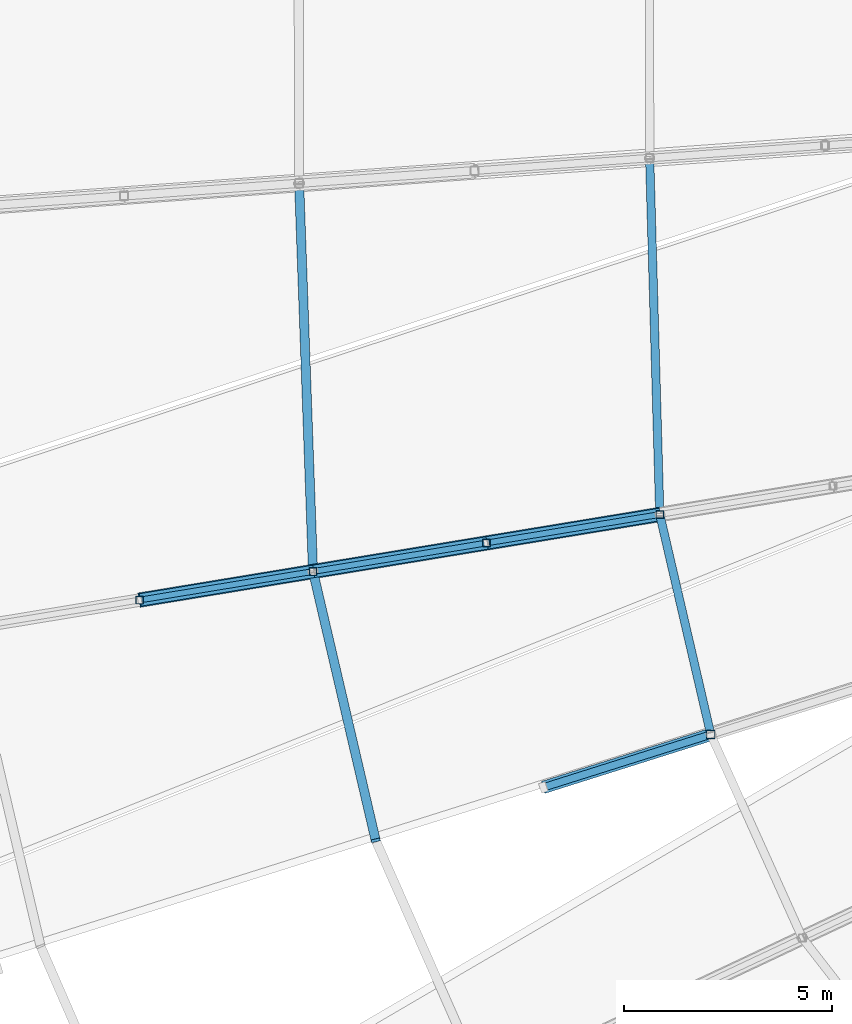
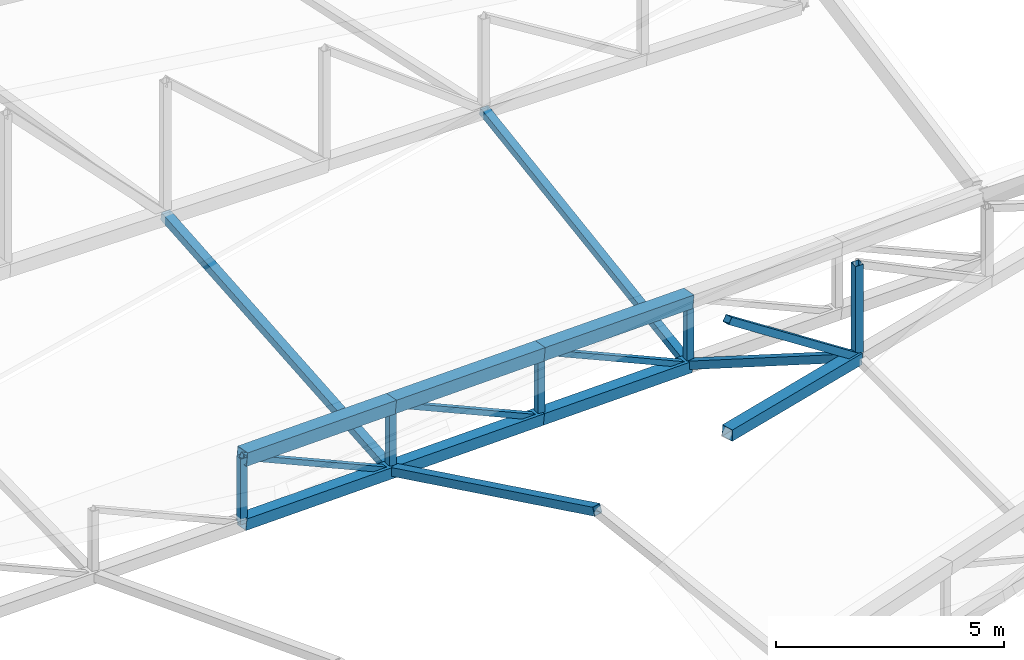
# One storey, part 22 of 344: 20 members.
"""IFC4 building model written with IfcOpenShell, lengths in metres."""

from ifc_helpers import new_model, si_unit, direction, frame, origin, origin_2d, place, context, subcontext, project, spatial, hollow_rectangle, extrude, material, material_profile, profile_set, type_object, element, save


model = new_model("IFC4")

# Units and contexts
model_context = context("Model", 3, precision=1e-05, world=origin(), true_north=direction((0.0, 1.0)))
body_context = subcontext(model_context, "Body", "Model", "MODEL_VIEW")
ifc_project = project(units=[si_unit("LENGTHUNIT", "METRE"), si_unit("AREAUNIT", "SQUARE_METRE"), si_unit("VOLUMEUNIT", "CUBIC_METRE"), si_unit("PLANEANGLEUNIT", "RADIAN"), si_unit("MASSUNIT", "GRAM", prefix="KILO")], contexts=[model_context])

# Site, building, storey
site_placement = place(None, origin())
site = spatial("IfcSite", under=ifc_project, at=site_placement, CompositionType="ELEMENT")
building_placement = place(site_placement, origin())
building = spatial("IfcBuilding", under=site, at=building_placement, Name="Meseta Stadium", CompositionType="ELEMENT")
storey_placement = place(building_placement, frame((0.0, 0.0, 24.0)))
storey = spatial("IfcBuildingStorey", under=building, at=storey_placement, Name="L04", CompositionType="ELEMENT", Elevation=24.0)

# Members
ifc_material_1 = material(Name="Steel S355", Category="steel")
ifc_material_profile_1 = material_profile(ifc_material_1, hollow_rectangle(XDim=0.139892578125, YDim=0.139892578125, WallThickness=0.0048828125, at=origin_2d()), Name="SHS 140x140x5")
ifc_profile_set_1 = profile_set([ifc_material_profile_1], Name="Steel S355")
member_type_1 = type_object("IfcMemberType", Name="SHS 140x140x5 diagonal", PredefinedType="BRACE", material=ifc_profile_set_1)
for number, where, z_axis, x_axis, name in (
    (1, (-55.161865234375, -49.004150390625, 3.560302734375), (-0.873385983869, -0.143670561224, 0.465355448039), (0.162316894015, -0.986738681677, 0.0), "ROOF TRUSS RT-37 diagonal"),
    (2, (-59.327880859375, -49.689453125, 4.023193359375), (-0.873418924065, -0.143667560495, 0.465294546655), (0.162307632911, -0.986740205069, 0.0), "ROOF TRUSS RT-37 diagonal"),
):
    element("IfcMember", number, at=place(storey_placement, frame(where, z_axis=z_axis, x_axis=x_axis)), inside=storey, type_object=member_type_1, Name=name, PredefinedType="BRACE", context=body_context, shape_type="SweptSolid", body=[
        extrude(hollow_rectangle(XDim=0.139892578125, YDim=0.139892578125, WallThickness=0.0048828125, at=origin_2d()), origin(), (0.0, 0.0, 1.0), 4.77001953125),
    ])
member_1_placement = place(storey_placement, frame((-63.494140625, -50.374755859375, 4.48583984375), z_axis=(-0.873391700476, -0.143714262815, 0.465331224186), x_axis=(0.162363931313, -0.986730942967, 0.0)))
element("IfcMember", 3, at=member_1_placement, inside=storey, type_object=member_type_1, Name="ROOF TRUSS RT-37 diagonal", PredefinedType="BRACE", context=body_context, shape_type="SweptSolid", body=[
    extrude(hollow_rectangle(XDim=0.139892578125, YDim=0.139892578125, WallThickness=0.0048828125, at=origin_2d()), origin(), (0.0, 0.0, 1.0), 4.770263671875),
])
ifc_material_2 = material(Name="Steel S355", Category="steel")
ifc_material_profile_2 = material_profile(ifc_material_2, hollow_rectangle(XDim=0.179931640625, YDim=0.179931640625, WallThickness=0.00634765625, at=origin_2d()), Name="SHS 180x180x6.3")
ifc_profile_set_2 = profile_set([ifc_material_profile_2], Name="Steel S355")
member_type_2 = type_object("IfcMemberType", Name="SHS 180x180x6.3 diagonal", PredefinedType="BRACE", material=ifc_profile_set_2)
member_2_placement = place(storey_placement, frame((-53.93603515625, -54.2919921875, 6.5390625), z_axis=(-0.76283588036, -0.240863891155, 0.600055002124), x_axis=(0.301095390886, -0.953594025562, 0.0)))
element("IfcMember", 4, at=member_2_placement, inside=storey, type_object=member_type_2, Name="ROOF TRUSS RT-38 diagonal", PredefinedType="BRACE", context=body_context, shape_type="SweptSolid", body=[
    extrude(hollow_rectangle(XDim=0.179931640625, YDim=0.179931640625, WallThickness=0.00634765625, at=origin_2d()), origin(), (0.0, 0.0, 1.0), 5.27783203125),
])
ifc_material_3 = material(Name="Steel S355", Category="steel")
ifc_material_profile_3 = material_profile(ifc_material_3, hollow_rectangle(XDim=0.179931640625, YDim=0.179931640625, WallThickness=0.00634765625, at=origin_2d()), Name="SHS 180x180x6.3")
ifc_profile_set_3 = profile_set([ifc_material_profile_3], Name="Steel S355")
member_type_3 = type_object("IfcMemberType", Name="SHS 180x180x6.3 post", PredefinedType="POST", material=ifc_profile_set_3)
for number, where, z_axis, x_axis, name in (
    (5, (-55.161865234375, -49.004150390625, 3.560302734375), (0.0, 0.0, 1.0), (1.0, 0.0, 0.0), "ROOF TRUSS RT-37 post"),
    (6, (-59.327880859375, -49.689453125, 4.023193359375), (0.0, 0.0, 1.0), (1.0, 0.0, 0.0), "ROOF TRUSS RT-37 post"),
    (7, (-63.494140625, -50.374755859375, 4.48583984375), (0.0, 0.0, 1.0), (1.0, 0.0, 0.0), "ROOF TRUSS RT-37 post"),
    (8, (-67.660400390625, -51.060302734375, 4.94873046875), (0.0, 0.0, 1.0), (1.0, 0.0, 0.0), "ROOF TRUSS RT-37 post"),
):
    element("IfcMember", number, at=place(storey_placement, frame(where, z_axis=z_axis, x_axis=x_axis)), inside=storey, type_object=member_type_3, Name=name, PredefinedType="POST", context=body_context, shape_type="SweptSolid", body=[
        extrude(hollow_rectangle(XDim=0.179931640625, YDim=0.179931640625, WallThickness=0.00634765625, at=origin_2d()), origin(), (0.0, 0.0, 1.0), 1.7568359375),
    ])
ifc_material_4 = material(Name="Steel S355", Category="steel")
ifc_material_profile_4 = material_profile(ifc_material_4, hollow_rectangle(XDim=0.199951171875, YDim=0.199951171875, WallThickness=0.008056640625, at=origin_2d()), Name="SHS 200x200x8")
ifc_profile_set_4 = profile_set([ifc_material_profile_4], Name="Steel S355")
member_type_4 = type_object("IfcMemberType", Name="SHS 200x200x8 post", PredefinedType="POST", material=ifc_profile_set_4)
member_3_placement = place(storey_placement, frame((-53.93603515625, -54.2919921875, 6.5390625), z_axis=(0.0, 0.0, 1.0), x_axis=(1.0, 0.0, 0.0)))
element("IfcMember", 9, at=member_3_placement, inside=storey, type_object=member_type_4, Name="ROOF TRUSS RT-38 post", PredefinedType="POST", context=body_context, shape_type="SweptSolid", body=[
    extrude(hollow_rectangle(XDim=0.199951171875, YDim=0.199951171875, WallThickness=0.008056640625, at=origin_2d()), origin(), (0.0, 0.0, 1.0), 2.496337890625),
])
ifc_material_5 = material(Name="Steel S355", Category="steel")
ifc_material_profile_5 = material_profile(ifc_material_5, hollow_rectangle(XDim=0.199951171875, YDim=0.199951171875, WallThickness=0.008056640625, at=origin_2d()), Name="SHS 200x200x8")
ifc_profile_set_5 = profile_set([ifc_material_profile_5], Name="Steel S355")
member_type_5 = type_object("IfcMemberType", Name="SHS 200x200x8 strut", PredefinedType="STRUT", material=ifc_profile_set_5)
member_4_placement = place(storey_placement, frame((-55.405029296875, -40.440185546875, 5.26025390625), z_axis=(0.027839682845, -0.980482324117, -0.194626216512), x_axis=(0.99959713779, 0.028382426285, 0.0)))
element("IfcMember", 10, at=member_4_placement, inside=storey, type_object=member_type_5, Name="ROOF TRUSS STRUT RT-36/37", PredefinedType="STRUT", context=body_context, shape_type="SweptSolid", body=[
    extrude(hollow_rectangle(XDim=0.199951171875, YDim=0.199951171875, WallThickness=0.008056640625, at=origin_2d()), origin(), (0.0, 0.0, 1.0), 8.734375),
])
member_5_placement = place(storey_placement, frame((-55.161865234375, -49.004150390625, 3.560302734375), z_axis=(0.197980105289, -0.854023322138, 0.48109047294), x_axis=(0.974166328741, 0.225831715989, 0.0)))
element("IfcMember", 11, at=member_5_placement, inside=storey, type_object=member_type_5, Name="ROOF TRUSS STRUT RT-37/38", PredefinedType="STRUT", context=body_context, shape_type="SweptSolid", body=[
    extrude(hollow_rectangle(XDim=0.199951171875, YDim=0.199951171875, WallThickness=0.008056640625, at=origin_2d()), origin(), (0.0, 0.0, 1.0), 6.191650390625),
])
ifc_material_6 = material(Name="Steel S355", Category="steel")
ifc_material_profile_6 = material_profile(ifc_material_6, hollow_rectangle(XDim=0.219970703125, YDim=0.219970703125, WallThickness=0.008056640625, at=origin_2d()), Name="SHS 220x220x8")
ifc_profile_set_6 = profile_set([ifc_material_profile_6], Name="Steel S355")
member_type_6 = type_object("IfcMemberType", Name="SHS 220x220x8 strut", PredefinedType="STRUT", material=ifc_profile_set_6)
member_6_placement = place(storey_placement, frame((-63.82763671875, -41.04638671875, 5.7646484375), z_axis=(0.035397270136, -0.990112953609, -0.135732723992), x_axis=(0.999361554258, 0.035727914447, 0.0)))
element("IfcMember", 12, at=member_6_placement, inside=storey, type_object=member_type_6, Name="ROOF TRUSS STRUT RT-36/37", PredefinedType="STRUT", context=body_context, shape_type="SweptSolid", body=[
    extrude(hollow_rectangle(XDim=0.219970703125, YDim=0.219970703125, WallThickness=0.008056640625, at=origin_2d()), origin(), (0.0, 0.0, 1.0), 9.421630859375),
])
member_7_placement = place(storey_placement, frame((-63.494140625, -50.374755859375, 4.48583984375), z_axis=(0.214482102393, -0.920217601301, 0.327409520339), x_axis=(0.973896295758, 0.226993403225, 0.0)))
element("IfcMember", 13, at=member_7_placement, inside=storey, type_object=member_type_6, Name="ROOF TRUSS STRUT RT-37/38", PredefinedType="STRUT", context=body_context, shape_type="SweptSolid", body=[
    extrude(hollow_rectangle(XDim=0.219970703125, YDim=0.219970703125, WallThickness=0.008056640625, at=origin_2d()), origin(), (0.0, 0.0, 1.0), 7.019775390625),
])
ifc_material_7 = material(Name="Steel S355", Category="steel")
ifc_material_profile_7 = material_profile(ifc_material_7, hollow_rectangle(XDim=0.300048828125, YDim=0.300048828125, WallThickness=0.010009765625, at=origin_2d()), Name="SHS 300x300x10")
ifc_profile_set_7 = profile_set([ifc_material_profile_7], Name="Steel S355")
member_type_7 = type_object("IfcMemberType", Name="SHS 300x300x10 bottom chord", PredefinedType="CHORD", material=ifc_profile_set_7)
member_8_placement = place(storey_placement, frame((-55.161865234375, -49.004150390625, 3.560302734375), z_axis=(-0.980861115131, -0.161350043962, 0.108984568348), x_axis=(0.162316894015, -0.986738681677, 0.0)))
element("IfcMember", 14, at=member_8_placement, inside=storey, type_object=member_type_7, Name="ROOF TRUSS RT-37 bottom chord", PredefinedType="CHORD", context=body_context, shape_type="SweptSolid", body=[
    extrude(hollow_rectangle(XDim=0.300048828125, YDim=0.300048828125, WallThickness=0.010009765625, at=origin_2d()), origin(), (0.0, 0.0, 1.0), 4.247314453125),
])
for number, where, z_axis, x_axis, name in (
    (15, (-59.327880859375, -49.689453125, 4.023193359375), (-0.980869436585, -0.16134195772, 0.10892162803), (0.162307632911, -0.986740205069, 0.0), "ROOF TRUSS RT-37 bottom chord"),
    (16, (-63.494140625, -50.374755859375, 4.48583984375), (-0.980854196553, -0.161396928445, 0.108977413224), (0.162363931313, -0.986730942967, 0.0), "ROOF TRUSS RT-37 bottom chord"),
):
    element("IfcMember", number, at=place(storey_placement, frame(where, z_axis=z_axis, x_axis=x_axis)), inside=storey, type_object=member_type_7, Name=name, PredefinedType="CHORD", context=body_context, shape_type="SweptSolid", body=[
        extrude(hollow_rectangle(XDim=0.300048828125, YDim=0.300048828125, WallThickness=0.010009765625, at=origin_2d()), origin(), (0.0, 0.0, 1.0), 4.24755859375),
    ])
member_9_placement = place(storey_placement, frame((-53.93603515625, -54.2919921875, 6.5390625), z_axis=(-0.953192512516, -0.300968613951, 0.02901598698), x_axis=(0.301095390886, -0.953594025562, 0.0)))
element("IfcMember", 17, at=member_9_placement, inside=storey, type_object=member_type_7, Name="ROOF TRUSS RT-38 bottom chord", PredefinedType="CHORD", context=body_context, shape_type="SweptSolid", body=[
    extrude(hollow_rectangle(XDim=0.300048828125, YDim=0.300048828125, WallThickness=0.010009765625, at=origin_2d()), origin(), (0.0, 0.0, 1.0), 4.223876953125),
])
ifc_material_8 = material(Name="Steel S355", Category="steel")
ifc_material_profile_8 = material_profile(ifc_material_8, hollow_rectangle(XDim=0.35009765625, YDim=0.35009765625, WallThickness=0.010009765625, at=origin_2d()), Name="SHS 350x350x10")
ifc_profile_set_8 = profile_set([ifc_material_profile_8], Name="Steel S355")
member_type_8 = type_object("IfcMemberType", Name="SHS 350x350x10 top chord", PredefinedType="CHORD", material=ifc_profile_set_8)
member_10_placement = place(storey_placement, frame((-55.161865234375, -49.004150390625, 5.317138671875), z_axis=(-0.980861115131, -0.161350043962, 0.108984568348), x_axis=(0.162316894015, -0.986738681677, 0.0)))
element("IfcMember", 18, at=member_10_placement, inside=storey, type_object=member_type_8, Name="ROOF TRUSS RT-37 top chord", PredefinedType="CHORD", context=body_context, shape_type="SweptSolid", body=[
    extrude(hollow_rectangle(XDim=0.35009765625, YDim=0.35009765625, WallThickness=0.010009765625, at=origin_2d()), origin(), (0.0, 0.0, 1.0), 4.247314453125),
])
for number, where, z_axis, x_axis, name in (
    (19, (-59.327880859375, -49.689453125, 5.780029296875), (-0.980869436585, -0.16134195772, 0.10892162803), (0.162307632911, -0.986740205069, 0.0), "ROOF TRUSS RT-37 top chord"),
    (20, (-63.494140625, -50.374755859375, 6.24267578125), (-0.980854196553, -0.161396928445, 0.108977413224), (0.162363931313, -0.986730942967, 0.0), "ROOF TRUSS RT-37 top chord"),
):
    element("IfcMember", number, at=place(storey_placement, frame(where, z_axis=z_axis, x_axis=x_axis)), inside=storey, type_object=member_type_8, Name=name, PredefinedType="CHORD", context=body_context, shape_type="SweptSolid", body=[
        extrude(hollow_rectangle(XDim=0.35009765625, YDim=0.35009765625, WallThickness=0.010009765625, at=origin_2d()), origin(), (0.0, 0.0, 1.0), 4.24755859375),
    ])

save(model, "model.ifc")
